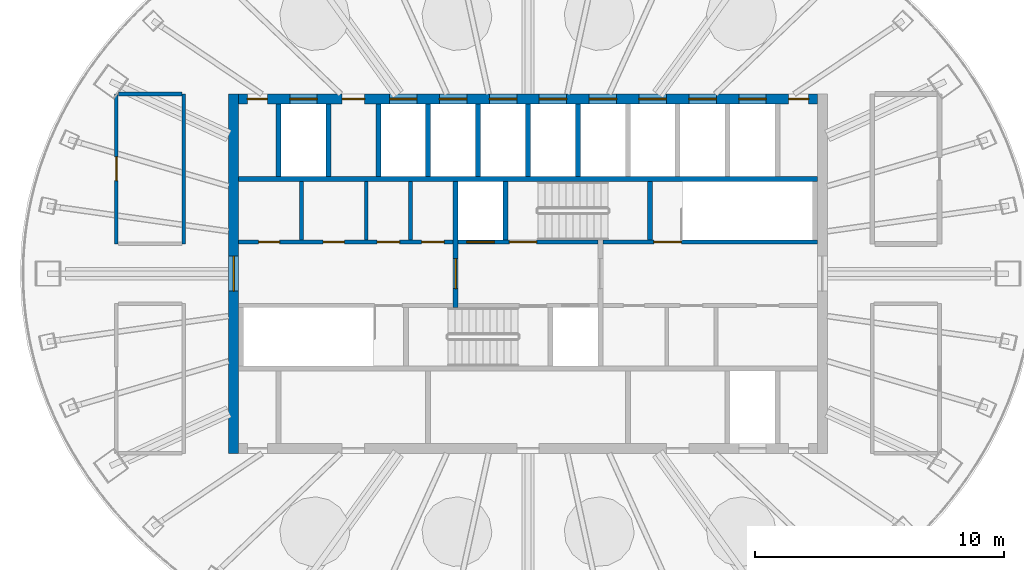
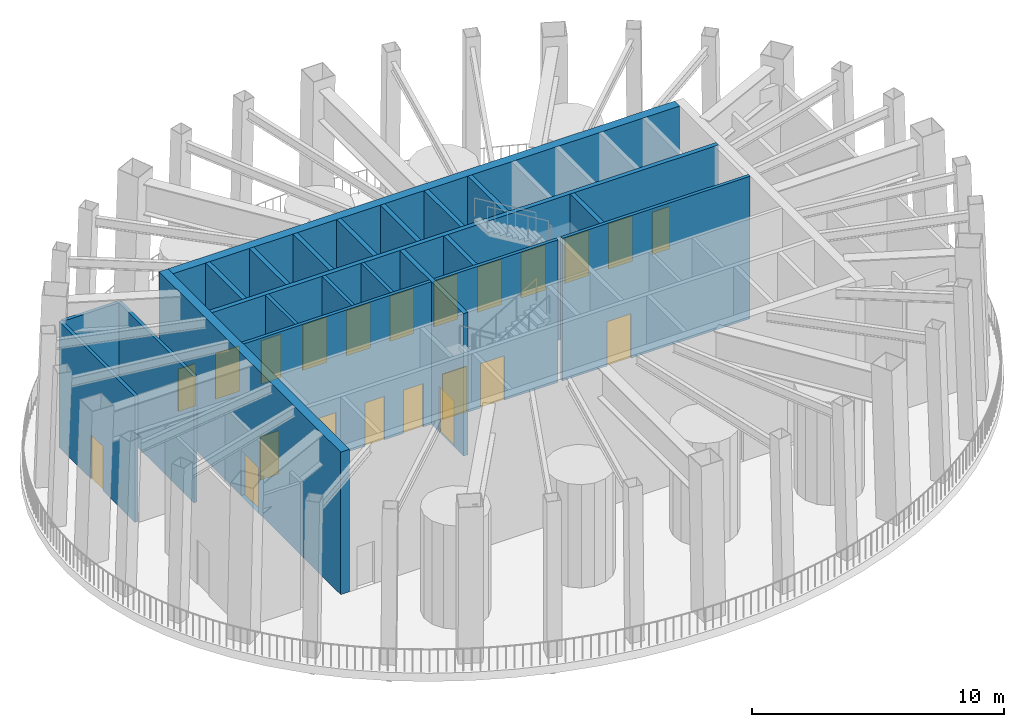
# One storey, part 4 of 12: 22 doors, 22 walls, 22 openings.
"""IFC4 building model written with IfcOpenShell, lengths in metres."""

from ifc_helpers import new_model, si_unit, direction, frame, frame_2d, origin, place, context, subcontext, project, spatial, rectangle, extrude, material, layer, layer_set, type_object, element, fill, save


model = new_model("IFC4")

# Units and contexts
model_context = context("Model", 3, precision=1e-05, world=origin(), true_north=direction((0.0, 1.0)))
body_context = subcontext(model_context, "Body", "Model", "MODEL_VIEW")
ifc_project = project(units=[si_unit("LENGTHUNIT", "METRE"), si_unit("AREAUNIT", "SQUARE_METRE"), si_unit("VOLUMEUNIT", "CUBIC_METRE"), si_unit("PLANEANGLEUNIT", "RADIAN"), si_unit("MASSUNIT", "GRAM", prefix="KILO")], contexts=[model_context])

# Site, building, storey
site_placement = place(None, origin())
site = spatial("IfcSite", under=ifc_project, at=site_placement, CompositionType="ELEMENT")
building_placement = place(site_placement, origin())
building = spatial("IfcBuilding", under=site, at=building_placement, Name="Siaravel Broadcast Tower", CompositionType="ELEMENT")
storey_placement = place(building_placement, frame((0.0, 0.0, 265.199951171875)))
storey = spatial("IfcBuildingStorey", under=building, at=storey_placement, Name="L65", CompositionType="ELEMENT", Elevation=265.199951171875)

# Walls
ifc_material_1 = material(Name="Concrete blockwork", Category="masonry")
ifc_layer_1 = layer(ifc_material_1, 0.14990234375)
ifc_layer_set_1 = layer_set([ifc_layer_1], Name="Concrete blockwork")
wall_type_1 = type_object("IfcWallType", Name="Core partition 150", PredefinedType="PARTITIONING", material=ifc_layer_set_1)
for number, where, z_axis, x_axis, name in (
    (1, (-9.080078125, 1.35009765625, 0.0), (0.0, 0.0, 1.0), (0.0, 1.0, 0.0), "L65 core partition PNW0"),
    (2, (-6.485107421875, 1.35009765625, 0.0), (0.0, 0.0, 1.0), (0.0, 1.0, 0.0), "L65 core partition PNW1"),
    (3, (-4.705078125, 1.35009765625, 0.0), (0.0, 0.0, 1.0), (0.0, 1.0, 0.0), "L65 core partition PNW2"),
):
    element("IfcWall", number, at=place(storey_placement, frame(where, z_axis=z_axis, x_axis=x_axis)), inside=storey, type_object=wall_type_1, Name=name, PredefinedType="PARTITIONING", context=body_context, shape_type="SweptSolid", body=[
        extrude(rectangle(XDim=2.349853515625, YDim=0.14990234375, at=frame_2d((1.1748046875, 0.0))), origin(), (0.0, 0.0, 1.0), 6.900146484375),
    ])

# Wall, opening, door
ifc_material_2 = material(Name="Concrete C60/75", Category="concrete")
ifc_layer_2 = layer(ifc_material_2, 0.39990234375)
ifc_layer_set_2 = layer_set([ifc_layer_2], Name="Concrete C60/75")
wall_type_2 = type_object("IfcWallType", Name="Core wall 400", PredefinedType="SHEAR", material=ifc_layer_set_2)
wall_1_placement = place(storey_placement, frame((-11.800048828125, -7.199951171875, 0.0), z_axis=(0.0, 0.0, 1.0), x_axis=(0.0, 1.0, 0.0)))
wall_1 = element("IfcWall", 4, at=wall_1_placement, inside=storey, type_object=wall_type_2, Name="L65 core wall OW", PredefinedType="SHEAR", context=body_context, shape_type="SweptSolid", body=[
    extrude(rectangle(XDim=14.39990234375, YDim=0.39990234375, at=frame_2d((7.199951171875, 0.0))), origin(), (0.0, 0.0, 1.0), 6.900146484375),
])
opening_1_placement = place(wall_1_placement, frame((6.5, 0.0, 0.0)))
opening_1 = element("IfcOpeningElement", 5, at=opening_1_placement, cuts=wall_1, Name="Opening L65-DX-W", PredefinedType="OPENING", context=body_context, shape_type="SweptSolid", body=[
    extrude(rectangle(XDim=1.39990234375, YDim=2.199951171875, at=frame_2d((0.699951171875, 1.10009765625))), frame((0.0, 0.2099609375, 0.0), z_axis=(0.0, -1.0, 0.0), x_axis=(1.0, 0.0, 0.0)), (0.0, 0.0, 1.0), 0.419921875),
])
ifc_material_3 = material(Name="Steel", Category="steel")
door_type_1 = type_object("IfcDoorType", Name="Core exit door 1400", OperationType="DOUBLE_DOOR_SINGLE_SWING", PredefinedType="DOOR", material=ifc_material_3)
door_1_placement = place(opening_1_placement, origin())
door_1 = element("IfcDoor", 6, at=door_1_placement, inside=storey, type_object=door_type_1, Name="L65 door DX-W", OperationType="DOUBLE_DOOR_SINGLE_SWING", OverallHeight=2.199951171875, OverallWidth=1.39990234375, PredefinedType="DOOR", context=body_context, shape_type="SweptSolid", body=[
    extrude(rectangle(XDim=1.39990234375, YDim=2.199951171875, at=frame_2d((0.699951171875, 1.10009765625))), frame((0.0, 0.02490234375, 0.0), z_axis=(0.0, -1.0, 0.0), x_axis=(1.0, 0.0, 0.0)), (0.0, 0.0, 1.0), 0.050048828125),
])
fill(opening_1, door_1)

# Wall, openings, doors
wall_2_placement = place(storey_placement, frame((-11.60009765625, 7.0, 0.0), z_axis=(0.0, 0.0, 1.0), x_axis=(1.0, 0.0, 0.0)))
wall_2 = element("IfcWall", 7, at=wall_2_placement, inside=storey, type_object=wall_type_2, Name="L65 core wall ON", PredefinedType="SHEAR", context=body_context, shape_type="SweptSolid", body=[
    extrude(rectangle(XDim=23.2001953125, YDim=0.39990234375, at=frame_2d((11.60009765625, 0.0))), origin(), (0.0, 0.0, 1.0), 6.900146484375),
])
opening_2_placement = place(wall_2_placement, frame((2.050048828125, 0.0, 0.0)))
opening_2 = element("IfcOpeningElement", 8, at=opening_2_placement, cuts=wall_2, Name="Opening LD-SV2-L65", PredefinedType="OPENING", context=body_context, shape_type="SweptSolid", body=[
    extrude(rectangle(XDim=1.10009765625, YDim=2.199951171875, at=frame_2d((0.550048828125, 1.10009765625))), frame((0.0, 0.2099609375, 0.0), z_axis=(0.0, -1.0, 0.0), x_axis=(1.0, 0.0, 0.0)), (0.0, 0.0, 1.0), 0.419921875),
])
opening_3_placement = place(wall_2_placement, frame((6.050048828125, 0.0, 0.0)))
opening_3 = element("IfcOpeningElement", 9, at=opening_3_placement, cuts=wall_2, Name="Opening LD-HP1-L65", PredefinedType="OPENING", context=body_context, shape_type="SweptSolid", body=[
    extrude(rectangle(XDim=1.10009765625, YDim=2.199951171875, at=frame_2d((0.550048828125, 1.10009765625))), frame((0.0, 0.2099609375, 0.0), z_axis=(0.0, -1.0, 0.0), x_axis=(1.0, 0.0, 0.0)), (0.0, 0.0, 1.0), 0.419921875),
])
opening_4_placement = place(wall_2_placement, frame((8.050048828125, 0.0, 0.0)))
opening_4 = element("IfcOpeningElement", 10, at=opening_4_placement, cuts=wall_2, Name="Opening LD-HP2-L65", PredefinedType="OPENING", context=body_context, shape_type="SweptSolid", body=[
    extrude(rectangle(XDim=1.10009765625, YDim=2.199951171875, at=frame_2d((0.550048828125, 1.10009765625))), frame((0.0, 0.2099609375, 0.0), z_axis=(0.0, -1.0, 0.0), x_axis=(1.0, 0.0, 0.0)), (0.0, 0.0, 1.0), 0.419921875),
])
opening_5_placement = place(wall_2_placement, frame((10.050048828125, 0.0, 0.0)))
opening_5 = element("IfcOpeningElement", 11, at=opening_5_placement, cuts=wall_2, Name="Opening LD-HP3-L65", PredefinedType="OPENING", context=body_context, shape_type="SweptSolid", body=[
    extrude(rectangle(XDim=1.10009765625, YDim=2.199951171875, at=frame_2d((0.550048828125, 1.10009765625))), frame((0.0, 0.2099609375, 0.0), z_axis=(0.0, -1.0, 0.0), x_axis=(1.0, 0.0, 0.0)), (0.0, 0.0, 1.0), 0.419921875),
])
opening_6_placement = place(wall_2_placement, frame((12.050048828125, 0.0, 0.0)))
opening_6 = element("IfcOpeningElement", 12, at=opening_6_placement, cuts=wall_2, Name="Opening LD-HP4-L65", PredefinedType="OPENING", context=body_context, shape_type="SweptSolid", body=[
    extrude(rectangle(XDim=1.10009765625, YDim=2.199951171875, at=frame_2d((0.550048828125, 1.10009765625))), frame((0.0, 0.2099609375, 0.0), z_axis=(0.0, -1.0, 0.0), x_axis=(1.0, 0.0, 0.0)), (0.0, 0.0, 1.0), 0.419921875),
])
opening_7_placement = place(wall_2_placement, frame((14.050048828125, 0.0, 0.0)))
opening_7 = element("IfcOpeningElement", 13, at=opening_7_placement, cuts=wall_2, Name="Opening LD-HP5-L65", PredefinedType="OPENING", context=body_context, shape_type="SweptSolid", body=[
    extrude(rectangle(XDim=1.10009765625, YDim=2.199951171875, at=frame_2d((0.550048828125, 1.10009765625))), frame((0.0, 0.2099609375, 0.0), z_axis=(0.0, -1.0, 0.0), x_axis=(1.0, 0.0, 0.0)), (0.0, 0.0, 1.0), 0.419921875),
])
opening_8_placement = place(wall_2_placement, frame((16.050048828125, 0.0, 0.0)))
opening_8 = element("IfcOpeningElement", 14, at=opening_8_placement, cuts=wall_2, Name="Opening LD-HP6-L65", PredefinedType="OPENING", context=body_context, shape_type="SweptSolid", body=[
    extrude(rectangle(XDim=1.10009765625, YDim=2.199951171875, at=frame_2d((0.550048828125, 1.10009765625))), frame((0.0, 0.2099609375, 0.0), z_axis=(0.0, -1.0, 0.0), x_axis=(1.0, 0.0, 0.0)), (0.0, 0.0, 1.0), 0.419921875),
])
opening_9_placement = place(wall_2_placement, frame((18.050048828125, 0.0, 0.0)))
opening_9 = element("IfcOpeningElement", 15, at=opening_9_placement, cuts=wall_2, Name="Opening LD-HP7-L65", PredefinedType="OPENING", context=body_context, shape_type="SweptSolid", body=[
    extrude(rectangle(XDim=1.10009765625, YDim=2.199951171875, at=frame_2d((0.550048828125, 1.10009765625))), frame((0.0, 0.2099609375, 0.0), z_axis=(0.0, -1.0, 0.0), x_axis=(1.0, 0.0, 0.0)), (0.0, 0.0, 1.0), 0.419921875),
])
opening_10_placement = place(wall_2_placement, frame((20.050048828125, 0.0, 0.0)))
opening_10 = element("IfcOpeningElement", 16, at=opening_10_placement, cuts=wall_2, Name="Opening LD-HP8-L65", PredefinedType="OPENING", context=body_context, shape_type="SweptSolid", body=[
    extrude(rectangle(XDim=1.10009765625, YDim=2.199951171875, at=frame_2d((0.550048828125, 1.10009765625))), frame((0.0, 0.2099609375, 0.0), z_axis=(0.0, -1.0, 0.0), x_axis=(1.0, 0.0, 0.0)), (0.0, 0.0, 1.0), 0.419921875),
])
opening_11_placement = place(wall_2_placement, frame((4.14990234375, 0.0, 0.0)))
opening_11 = element("IfcOpeningElement", 17, at=opening_11_placement, cuts=wall_2, Name="Opening L65-DFN1", PredefinedType="OPENING", context=body_context, shape_type="SweptSolid", body=[
    extrude(rectangle(XDim=0.89990234375, YDim=2.10009765625, at=frame_2d((0.449951171875, 1.050048828125))), frame((0.0, 0.2099609375, 0.0), z_axis=(0.0, -1.0, 0.0), x_axis=(1.0, 0.0, 0.0)), (0.0, 0.0, 1.0), 0.419921875),
])
opening_12_placement = place(wall_2_placement, frame((0.35009765625, 0.0, 0.0)))
opening_12 = element("IfcOpeningElement", 18, at=opening_12_placement, cuts=wall_2, Name="Opening L65-DRNW", PredefinedType="OPENING", context=body_context, shape_type="SweptSolid", body=[
    extrude(rectangle(XDim=0.800048828125, YDim=2.050048828125, at=frame_2d((0.39990234375, 1.02490234375))), frame((0.0, 0.2099609375, 0.0), z_axis=(0.0, -1.0, 0.0), x_axis=(1.0, 0.0, 0.0)), (0.0, 0.0, 1.0), 0.419921875),
])
opening_13_placement = place(wall_2_placement, frame((22.050048828125, 0.0, 0.0)))
opening_13 = element("IfcOpeningElement", 19, at=opening_13_placement, cuts=wall_2, Name="Opening L65-DRNE", PredefinedType="OPENING", context=body_context, shape_type="SweptSolid", body=[
    extrude(rectangle(XDim=0.800048828125, YDim=2.050048828125, at=frame_2d((0.39990234375, 1.02490234375))), frame((0.0, 0.2099609375, 0.0), z_axis=(0.0, -1.0, 0.0), x_axis=(1.0, 0.0, 0.0)), (0.0, 0.0, 1.0), 0.419921875),
])
ifc_material_4 = material(Name="Timber veneer", Category="wood")
door_type_2 = type_object("IfcDoorType", Name="Core room door 900", OperationType="SINGLE_SWING_LEFT", PredefinedType="DOOR", material=ifc_material_4)
door_2_placement = place(opening_11_placement, origin())
door_2 = element("IfcDoor", 20, at=door_2_placement, inside=storey, type_object=door_type_2, Name="L65 door DFN1", OperationType="SINGLE_SWING_LEFT", OverallHeight=2.10009765625, OverallWidth=0.89990234375, PredefinedType="DOOR", context=body_context, shape_type="SweptSolid", body=[
    extrude(rectangle(XDim=0.89990234375, YDim=2.10009765625, at=frame_2d((0.449951171875, 1.050048828125))), frame((0.0, 0.02490234375, 0.0), z_axis=(0.0, -1.0, 0.0), x_axis=(1.0, 0.0, 0.0)), (0.0, 0.0, 1.0), 0.050048828125),
])
fill(opening_11, door_2)
ifc_material_5 = material(Name="Stainless steel 316L", Category="steel")
door_type_3 = type_object("IfcDoorType", Name="Lift landing door 1100", OperationType="DOUBLE_DOOR_SLIDING", PredefinedType="DOOR", material=ifc_material_5)
door_3_placement = place(opening_3_placement, origin())
door_3 = element("IfcDoor", 21, at=door_3_placement, inside=storey, type_object=door_type_3, Name="Landing door HP1 L65", OperationType="DOUBLE_DOOR_SLIDING", OverallHeight=2.199951171875, OverallWidth=1.10009765625, PredefinedType="DOOR", context=body_context, shape_type="SweptSolid", body=[
    extrude(rectangle(XDim=1.10009765625, YDim=2.199951171875, at=frame_2d((0.550048828125, 1.10009765625))), frame((0.0, 0.02490234375, 0.0), z_axis=(0.0, -1.0, 0.0), x_axis=(1.0, 0.0, 0.0)), (0.0, 0.0, 1.0), 0.050048828125),
])
fill(opening_3, door_3)
door_4_placement = place(opening_4_placement, origin())
door_4 = element("IfcDoor", 22, at=door_4_placement, inside=storey, type_object=door_type_3, Name="Landing door HP2 L65", OperationType="DOUBLE_DOOR_SLIDING", OverallHeight=2.199951171875, OverallWidth=1.10009765625, PredefinedType="DOOR", context=body_context, shape_type="SweptSolid", body=[
    extrude(rectangle(XDim=1.10009765625, YDim=2.199951171875, at=frame_2d((0.550048828125, 1.10009765625))), frame((0.0, 0.02490234375, 0.0), z_axis=(0.0, -1.0, 0.0), x_axis=(1.0, 0.0, 0.0)), (0.0, 0.0, 1.0), 0.050048828125),
])
fill(opening_4, door_4)
door_5_placement = place(opening_5_placement, origin())
door_5 = element("IfcDoor", 23, at=door_5_placement, inside=storey, type_object=door_type_3, Name="Landing door HP3 L65", OperationType="DOUBLE_DOOR_SLIDING", OverallHeight=2.199951171875, OverallWidth=1.10009765625, PredefinedType="DOOR", context=body_context, shape_type="SweptSolid", body=[
    extrude(rectangle(XDim=1.10009765625, YDim=2.199951171875, at=frame_2d((0.550048828125, 1.10009765625))), frame((0.0, 0.02490234375, 0.0), z_axis=(0.0, -1.0, 0.0), x_axis=(1.0, 0.0, 0.0)), (0.0, 0.0, 1.0), 0.050048828125),
])
fill(opening_5, door_5)
door_6_placement = place(opening_6_placement, origin())
door_6 = element("IfcDoor", 24, at=door_6_placement, inside=storey, type_object=door_type_3, Name="Landing door HP4 L65", OperationType="DOUBLE_DOOR_SLIDING", OverallHeight=2.199951171875, OverallWidth=1.10009765625, PredefinedType="DOOR", context=body_context, shape_type="SweptSolid", body=[
    extrude(rectangle(XDim=1.10009765625, YDim=2.199951171875, at=frame_2d((0.550048828125, 1.10009765625))), frame((0.0, 0.02490234375, 0.0), z_axis=(0.0, -1.0, 0.0), x_axis=(1.0, 0.0, 0.0)), (0.0, 0.0, 1.0), 0.050048828125),
])
fill(opening_6, door_6)
door_7_placement = place(opening_7_placement, origin())
door_7 = element("IfcDoor", 25, at=door_7_placement, inside=storey, type_object=door_type_3, Name="Landing door HP5 L65", OperationType="DOUBLE_DOOR_SLIDING", OverallHeight=2.199951171875, OverallWidth=1.10009765625, PredefinedType="DOOR", context=body_context, shape_type="SweptSolid", body=[
    extrude(rectangle(XDim=1.10009765625, YDim=2.199951171875, at=frame_2d((0.550048828125, 1.10009765625))), frame((0.0, 0.02490234375, 0.0), z_axis=(0.0, -1.0, 0.0), x_axis=(1.0, 0.0, 0.0)), (0.0, 0.0, 1.0), 0.050048828125),
])
fill(opening_7, door_7)
door_8_placement = place(opening_8_placement, origin())
door_8 = element("IfcDoor", 26, at=door_8_placement, inside=storey, type_object=door_type_3, Name="Landing door HP6 L65", OperationType="DOUBLE_DOOR_SLIDING", OverallHeight=2.199951171875, OverallWidth=1.10009765625, PredefinedType="DOOR", context=body_context, shape_type="SweptSolid", body=[
    extrude(rectangle(XDim=1.10009765625, YDim=2.199951171875, at=frame_2d((0.550048828125, 1.10009765625))), frame((0.0, 0.02490234375, 0.0), z_axis=(0.0, -1.0, 0.0), x_axis=(1.0, 0.0, 0.0)), (0.0, 0.0, 1.0), 0.050048828125),
])
fill(opening_8, door_8)
door_9_placement = place(opening_9_placement, origin())
door_9 = element("IfcDoor", 27, at=door_9_placement, inside=storey, type_object=door_type_3, Name="Landing door HP7 L65", OperationType="DOUBLE_DOOR_SLIDING", OverallHeight=2.199951171875, OverallWidth=1.10009765625, PredefinedType="DOOR", context=body_context, shape_type="SweptSolid", body=[
    extrude(rectangle(XDim=1.10009765625, YDim=2.199951171875, at=frame_2d((0.550048828125, 1.10009765625))), frame((0.0, 0.02490234375, 0.0), z_axis=(0.0, -1.0, 0.0), x_axis=(1.0, 0.0, 0.0)), (0.0, 0.0, 1.0), 0.050048828125),
])
fill(opening_9, door_9)
door_10_placement = place(opening_10_placement, origin())
door_10 = element("IfcDoor", 28, at=door_10_placement, inside=storey, type_object=door_type_3, Name="Landing door HP8 L65", OperationType="DOUBLE_DOOR_SLIDING", OverallHeight=2.199951171875, OverallWidth=1.10009765625, PredefinedType="DOOR", context=body_context, shape_type="SweptSolid", body=[
    extrude(rectangle(XDim=1.10009765625, YDim=2.199951171875, at=frame_2d((0.550048828125, 1.10009765625))), frame((0.0, 0.02490234375, 0.0), z_axis=(0.0, -1.0, 0.0), x_axis=(1.0, 0.0, 0.0)), (0.0, 0.0, 1.0), 0.050048828125),
])
fill(opening_10, door_10)
door_type_4 = type_object("IfcDoorType", Name="Riser door 800", OperationType="SINGLE_SWING_LEFT", PredefinedType="DOOR", material=ifc_material_3)
door_11_placement = place(opening_12_placement, origin())
door_11 = element("IfcDoor", 29, at=door_11_placement, inside=storey, type_object=door_type_4, Name="L65 door DRNW", OperationType="SINGLE_SWING_LEFT", OverallHeight=2.050048828125, OverallWidth=0.800048828125, PredefinedType="DOOR", context=body_context, shape_type="SweptSolid", body=[
    extrude(rectangle(XDim=0.800048828125, YDim=2.050048828125, at=frame_2d((0.39990234375, 1.02490234375))), frame((0.0, 0.02490234375, 0.0), z_axis=(0.0, -1.0, 0.0), x_axis=(1.0, 0.0, 0.0)), (0.0, 0.0, 1.0), 0.050048828125),
])
fill(opening_12, door_11)
door_12_placement = place(opening_13_placement, origin())
door_12 = element("IfcDoor", 30, at=door_12_placement, inside=storey, type_object=door_type_4, Name="L65 door DRNE", OperationType="SINGLE_SWING_LEFT", OverallHeight=2.050048828125, OverallWidth=0.800048828125, PredefinedType="DOOR", context=body_context, shape_type="SweptSolid", body=[
    extrude(rectangle(XDim=0.800048828125, YDim=2.050048828125, at=frame_2d((0.39990234375, 1.02490234375))), frame((0.0, 0.02490234375, 0.0), z_axis=(0.0, -1.0, 0.0), x_axis=(1.0, 0.0, 0.0)), (0.0, 0.0, 1.0), 0.050048828125),
])
fill(opening_13, door_12)
door_type_5 = type_object("IfcDoorType", Name="Service lift landing door 1100", OperationType="DOUBLE_DOOR_SLIDING", PredefinedType="DOOR", material=ifc_material_5)
door_13_placement = place(opening_2_placement, origin())
door_13 = element("IfcDoor", 31, at=door_13_placement, inside=storey, type_object=door_type_5, Name="Landing door SV2 L65", OperationType="DOUBLE_DOOR_SLIDING", OverallHeight=2.199951171875, OverallWidth=1.10009765625, PredefinedType="DOOR", context=body_context, shape_type="SweptSolid", body=[
    extrude(rectangle(XDim=1.10009765625, YDim=2.199951171875, at=frame_2d((0.550048828125, 1.10009765625))), frame((0.0, 0.02490234375, 0.0), z_axis=(0.0, -1.0, 0.0), x_axis=(1.0, 0.0, 0.0)), (0.0, 0.0, 1.0), 0.050048828125),
])
fill(opening_2, door_13)

ifc_material_6 = material(Name="Gypsum board partition", Category="gypsum")
ifc_layer_3 = layer(ifc_material_6, 0.14990234375)
ifc_layer_set_3 = layer_set([ifc_layer_3], Name="Gypsum board partition")
wall_type_3 = type_object("IfcWallType", Name="Corridor wall 150", PredefinedType="PARTITIONING", material=ifc_layer_set_3)
wall_3_placement = place(storey_placement, frame((-11.60009765625, 1.27490234375, 0.0), z_axis=(0.0, 0.0, 1.0), x_axis=(1.0, 0.0, 0.0)))
wall_3 = element("IfcWall", 32, at=wall_3_placement, inside=storey, type_object=wall_type_3, Name="L65 core partition CNW", PredefinedType="PARTITIONING", context=body_context, shape_type="SweptSolid", body=[
    extrude(rectangle(XDim=8.60009765625, YDim=0.14990234375, at=frame_2d((4.300048828125, 0.0))), origin(), (0.0, 0.0, 1.0), 6.900146484375),
])
opening_14_placement = place(wall_3_placement, frame((0.797607421875, 0.0, 0.0)))
opening_14 = element("IfcOpeningElement", 33, at=opening_14_placement, cuts=wall_3, Name="Opening L65-DNW0", PredefinedType="OPENING", context=body_context, shape_type="SweptSolid", body=[
    extrude(rectangle(XDim=0.85009765625, YDim=2.10009765625, at=frame_2d((0.425048828125, 1.050048828125))), frame((0.0, 0.0849609375, 0.0), z_axis=(0.0, -1.0, 0.0), x_axis=(1.0, 0.0, 0.0)), (0.0, 0.0, 1.0), 0.169921875),
])
opening_15_placement = place(wall_3_placement, frame((3.392578125, 0.0, 0.0)))
opening_15 = element("IfcOpeningElement", 34, at=opening_15_placement, cuts=wall_3, Name="Opening L65-DNW1", PredefinedType="OPENING", context=body_context, shape_type="SweptSolid", body=[
    extrude(rectangle(XDim=0.85009765625, YDim=2.10009765625, at=frame_2d((0.425048828125, 1.050048828125))), frame((0.0, 0.0849609375, 0.0), z_axis=(0.0, -1.0, 0.0), x_axis=(1.0, 0.0, 0.0)), (0.0, 0.0, 1.0), 0.169921875),
])
opening_16_placement = place(wall_3_placement, frame((5.554931640625, 0.0, 0.0)))
opening_16 = element("IfcOpeningElement", 35, at=opening_16_placement, cuts=wall_3, Name="Opening L65-DNW2", PredefinedType="OPENING", context=body_context, shape_type="SweptSolid", body=[
    extrude(rectangle(XDim=0.89990234375, YDim=2.10009765625, at=frame_2d((0.449951171875, 1.050048828125))), frame((0.0, 0.0849609375, 0.0), z_axis=(0.0, -1.0, 0.0), x_axis=(1.0, 0.0, 0.0)), (0.0, 0.0, 1.0), 0.169921875),
])
opening_17_placement = place(wall_3_placement, frame((7.3349609375, 0.0, 0.0)))
opening_17 = element("IfcOpeningElement", 36, at=opening_17_placement, cuts=wall_3, Name="Opening L65-DNW3", PredefinedType="OPENING", context=body_context, shape_type="SweptSolid", body=[
    extrude(rectangle(XDim=0.89990234375, YDim=2.10009765625, at=frame_2d((0.449951171875, 1.050048828125))), frame((0.0, 0.0849609375, 0.0), z_axis=(0.0, -1.0, 0.0), x_axis=(1.0, 0.0, 0.0)), (0.0, 0.0, 1.0), 0.169921875),
])
door_14_placement = place(opening_16_placement, origin())
door_14 = element("IfcDoor", 37, at=door_14_placement, inside=storey, type_object=door_type_2, Name="L65 door DNW2", OperationType="SINGLE_SWING_LEFT", OverallHeight=2.10009765625, OverallWidth=0.89990234375, PredefinedType="DOOR", context=body_context, shape_type="SweptSolid", body=[
    extrude(rectangle(XDim=0.89990234375, YDim=2.10009765625, at=frame_2d((0.449951171875, 1.050048828125))), frame((0.0, 0.02490234375, 0.0), z_axis=(0.0, -1.0, 0.0), x_axis=(1.0, 0.0, 0.0)), (0.0, 0.0, 1.0), 0.050048828125),
])
fill(opening_16, door_14)
door_15_placement = place(opening_17_placement, origin())
door_15 = element("IfcDoor", 38, at=door_15_placement, inside=storey, type_object=door_type_2, Name="L65 door DNW3", OperationType="SINGLE_SWING_LEFT", OverallHeight=2.10009765625, OverallWidth=0.89990234375, PredefinedType="DOOR", context=body_context, shape_type="SweptSolid", body=[
    extrude(rectangle(XDim=0.89990234375, YDim=2.10009765625, at=frame_2d((0.449951171875, 1.050048828125))), frame((0.0, 0.02490234375, 0.0), z_axis=(0.0, -1.0, 0.0), x_axis=(1.0, 0.0, 0.0)), (0.0, 0.0, 1.0), 0.050048828125),
])
fill(opening_17, door_15)
door_type_6 = type_object("IfcDoorType", Name="Core toilet door 850", OperationType="SINGLE_SWING_LEFT", PredefinedType="DOOR", material=ifc_material_4)
door_16_placement = place(opening_14_placement, origin())
door_16 = element("IfcDoor", 39, at=door_16_placement, inside=storey, type_object=door_type_6, Name="L65 door DNW0", OperationType="SINGLE_SWING_LEFT", OverallHeight=2.10009765625, OverallWidth=0.85009765625, PredefinedType="DOOR", context=body_context, shape_type="SweptSolid", body=[
    extrude(rectangle(XDim=0.85009765625, YDim=2.10009765625, at=frame_2d((0.425048828125, 1.050048828125))), frame((0.0, 0.02490234375, 0.0), z_axis=(0.0, -1.0, 0.0), x_axis=(1.0, 0.0, 0.0)), (0.0, 0.0, 1.0), 0.050048828125),
])
fill(opening_14, door_16)
door_17_placement = place(opening_15_placement, origin())
door_17 = element("IfcDoor", 40, at=door_17_placement, inside=storey, type_object=door_type_6, Name="L65 door DNW1", OperationType="SINGLE_SWING_LEFT", OverallHeight=2.10009765625, OverallWidth=0.85009765625, PredefinedType="DOOR", context=body_context, shape_type="SweptSolid", body=[
    extrude(rectangle(XDim=0.85009765625, YDim=2.10009765625, at=frame_2d((0.425048828125, 1.050048828125))), frame((0.0, 0.02490234375, 0.0), z_axis=(0.0, -1.0, 0.0), x_axis=(1.0, 0.0, 0.0)), (0.0, 0.0, 1.0), 0.050048828125),
])
fill(opening_15, door_17)

# Wall, opening, door
wall_4_placement = place(storey_placement, frame((-16.5, 7.2119140625, 0.0), z_axis=(0.0, 0.0, 1.0), x_axis=(0.0, -1.0, 0.0)))
wall_4 = element("IfcWall", 41, at=wall_4_placement, inside=storey, type_object=wall_type_3, Name="L65 partition 2", PredefinedType="PARTITIONING", context=body_context, shape_type="SweptSolid", body=[
    extrude(rectangle(XDim=6.011962890625, YDim=0.14990234375, at=frame_2d((3.005859375, 0.0))), origin(), (0.0, 0.0, 1.0), 6.10009765625),
])
opening_18_placement = place(wall_4_placement, frame((2.531005859375, 0.0, 0.0)))
opening_18 = element("IfcOpeningElement", 42, at=opening_18_placement, cuts=wall_4, Name="Opening L65-003", PredefinedType="OPENING", context=body_context, shape_type="SweptSolid", body=[
    extrude(rectangle(XDim=0.949951171875, YDim=2.14990234375, at=frame_2d((0.47509765625, 1.074951171875))), frame((0.0, 0.0849609375, 0.0), z_axis=(0.0, -1.0, 0.0), x_axis=(1.0, 0.0, 0.0)), (0.0, 0.0, 1.0), 0.169921875),
])
door_type_7 = type_object("IfcDoorType", Name="Office door 950", OperationType="SINGLE_SWING_LEFT", PredefinedType="DOOR", material=ifc_material_4)
door_18_placement = place(opening_18_placement, origin())
door_18 = element("IfcDoor", 43, at=door_18_placement, inside=storey, type_object=door_type_7, Name="L65 door to Turbine workshop", OperationType="SINGLE_SWING_LEFT", OverallHeight=2.14990234375, OverallWidth=0.949951171875, PredefinedType="DOOR", context=body_context, shape_type="SweptSolid", body=[
    extrude(rectangle(XDim=0.949951171875, YDim=2.14990234375, at=frame_2d((0.47509765625, 1.074951171875))), frame((0.0, 0.02490234375, 0.0), z_axis=(0.0, -1.0, 0.0), x_axis=(1.0, 0.0, 0.0)), (0.0, 0.0, 1.0), 0.050048828125),
])
fill(opening_18, door_18)

# Walls
wall_5_placement = place(storey_placement, frame((-13.800048828125, 7.199951171875, 0.0), z_axis=(0.0, 0.0, 1.0), x_axis=(0.0, -1.0, 0.0)))
element("IfcWall", 44, at=wall_5_placement, inside=storey, type_object=wall_type_3, Name="L65 partition 6", PredefinedType="PARTITIONING", context=body_context, shape_type="SweptSolid", body=[
    extrude(rectangle(XDim=6.0, YDim=0.14990234375, at=frame_2d((3.0, 0.0))), origin(), (0.0, 0.0, 1.0), 6.10009765625),
])
wall_6_placement = place(storey_placement, frame((-13.876953125, 7.199951171875, 0.0), z_axis=(0.0, 0.0, 1.0), x_axis=(-1.0, 0.0, 0.0)))
element("IfcWall", 45, at=wall_6_placement, inside=storey, type_object=wall_type_3, Name="L65 partition 12", PredefinedType="PARTITIONING", context=body_context, shape_type="SweptSolid", body=[
    extrude(rectangle(XDim=2.546142578125, YDim=0.14990234375, at=frame_2d((1.27294921875, 0.0))), origin(), (0.0, 0.0, 1.0), 6.10009765625),
])

# Wall, openings, doors
ifc_layer_4 = layer(ifc_material_2, 0.14990234375)
ifc_layer_set_4 = layer_set([ifc_layer_4], Name="Concrete C60/75")
wall_type_4 = type_object("IfcWallType", Name="Shaft wall 150", PredefinedType="SHEAR", material=ifc_layer_set_4)
wall_7_placement = place(storey_placement, frame((-2.800048828125, 1.27490234375, 0.0), z_axis=(0.0, 0.0, 1.0), x_axis=(1.0, 0.0, 0.0)))
wall_7 = element("IfcWall", 46, at=wall_7_placement, inside=storey, type_object=wall_type_4, Name="L65 core wall CNM", PredefinedType="SHEAR", context=body_context, shape_type="SweptSolid", body=[
    extrude(rectangle(XDim=5.60009765625, YDim=0.14990234375, at=frame_2d((2.800048828125, 0.0))), origin(), (0.0, 0.0, 1.0), 6.900146484375),
])
opening_19_placement = place(wall_7_placement, frame((0.35009765625, 0.0, 0.0)))
opening_19 = element("IfcOpeningElement", 47, at=opening_19_placement, cuts=wall_7, Name="Opening LD-FL1-L65", PredefinedType="OPENING", context=body_context, shape_type="SweptSolid", body=[
    extrude(rectangle(XDim=1.10009765625, YDim=2.199951171875, at=frame_2d((0.550048828125, 1.10009765625))), frame((0.0, 0.0849609375, 0.0), z_axis=(0.0, -1.0, 0.0), x_axis=(1.0, 0.0, 0.0)), (0.0, 0.0, 1.0), 0.169921875),
])
opening_20_placement = place(wall_7_placement, frame((2.050048828125, 0.0, 0.0)))
opening_20 = element("IfcOpeningElement", 48, at=opening_20_placement, cuts=wall_7, Name="Opening L65-DS-C1", PredefinedType="OPENING", context=body_context, shape_type="SweptSolid", body=[
    extrude(rectangle(XDim=1.10009765625, YDim=2.14990234375, at=frame_2d((0.550048828125, 1.074951171875))), frame((0.0, 0.0849609375, 0.0), z_axis=(0.0, -1.0, 0.0), x_axis=(1.0, 0.0, 0.0)), (0.0, 0.0, 1.0), 0.169921875),
])
door_type_8 = type_object("IfcDoorType", Name="Firefighting lift landing door 1100", OperationType="DOUBLE_DOOR_SLIDING", PredefinedType="DOOR", material=ifc_material_5)
door_19_placement = place(opening_19_placement, origin())
door_19 = element("IfcDoor", 49, at=door_19_placement, inside=storey, type_object=door_type_8, Name="Landing door FL1 L65", OperationType="DOUBLE_DOOR_SLIDING", OverallHeight=2.199951171875, OverallWidth=1.10009765625, PredefinedType="DOOR", context=body_context, shape_type="SweptSolid", body=[
    extrude(rectangle(XDim=1.10009765625, YDim=2.199951171875, at=frame_2d((0.550048828125, 1.10009765625))), frame((0.0, 0.02490234375, 0.0), z_axis=(0.0, -1.0, 0.0), x_axis=(1.0, 0.0, 0.0)), (0.0, 0.0, 1.0), 0.050048828125),
])
fill(opening_19, door_19)
door_type_9 = type_object("IfcDoorType", Name="Stair door 1100", OperationType="SINGLE_SWING_LEFT", PredefinedType="DOOR", material=ifc_material_3)
door_20_placement = place(opening_20_placement, origin())
door_20 = element("IfcDoor", 50, at=door_20_placement, inside=storey, type_object=door_type_9, Name="L65 door DS-C1", OperationType="SINGLE_SWING_LEFT", OverallHeight=2.14990234375, OverallWidth=1.10009765625, PredefinedType="DOOR", context=body_context, shape_type="SweptSolid", body=[
    extrude(rectangle(XDim=1.10009765625, YDim=2.14990234375, at=frame_2d((0.550048828125, 1.074951171875))), frame((0.0, 0.02490234375, 0.0), z_axis=(0.0, -1.0, 0.0), x_axis=(1.0, 0.0, 0.0)), (0.0, 0.0, 1.0), 0.050048828125),
])
fill(opening_20, door_20)

# Wall, opening, door
wall_8_placement = place(storey_placement, frame((3.0, 1.27490234375, 0.0), z_axis=(0.0, 0.0, 1.0), x_axis=(1.0, 0.0, 0.0)))
wall_8 = element("IfcWall", 51, at=wall_8_placement, inside=storey, type_object=wall_type_4, Name="L65 core wall CNE", PredefinedType="SHEAR", context=body_context, shape_type="SweptSolid", body=[
    extrude(rectangle(XDim=8.60009765625, YDim=0.14990234375, at=frame_2d((4.300048828125, 0.0))), origin(), (0.0, 0.0, 1.0), 6.900146484375),
])
opening_21_placement = place(wall_8_placement, frame((2.050048828125, 0.0, 0.0)))
opening_21 = element("IfcOpeningElement", 52, at=opening_21_placement, cuts=wall_8, Name="Opening L65-DS-2", PredefinedType="OPENING", context=body_context, shape_type="SweptSolid", body=[
    extrude(rectangle(XDim=1.10009765625, YDim=2.14990234375, at=frame_2d((0.550048828125, 1.074951171875))), frame((0.0, 0.0849609375, 0.0), z_axis=(0.0, -1.0, 0.0), x_axis=(1.0, 0.0, 0.0)), (0.0, 0.0, 1.0), 0.169921875),
])
door_21_placement = place(opening_21_placement, origin())
door_21 = element("IfcDoor", 53, at=door_21_placement, inside=storey, type_object=door_type_9, Name="L65 door DS-2", OperationType="SINGLE_SWING_LEFT", OverallHeight=2.14990234375, OverallWidth=1.10009765625, PredefinedType="DOOR", context=body_context, shape_type="SweptSolid", body=[
    extrude(rectangle(XDim=1.10009765625, YDim=2.14990234375, at=frame_2d((0.550048828125, 1.074951171875))), frame((0.0, 0.02490234375, 0.0), z_axis=(0.0, -1.0, 0.0), x_axis=(1.0, 0.0, 0.0)), (0.0, 0.0, 1.0), 0.050048828125),
])
fill(opening_21, door_21)

# Walls
ifc_layer_5 = layer(ifc_material_2, 0.199951171875)
ifc_layer_set_5 = layer_set([ifc_layer_5], Name="Concrete C60/75")
wall_type_5 = type_object("IfcWallType", Name="Shaft wall 200", PredefinedType="SHEAR", material=ifc_layer_set_5)
wall_9_placement = place(storey_placement, frame((-11.60009765625, 3.800048828125, 0.0), z_axis=(0.0, 0.0, 1.0), x_axis=(1.0, 0.0, 0.0)))
element("IfcWall", 54, at=wall_9_placement, inside=storey, type_object=wall_type_5, Name="L65 core wall BN", PredefinedType="SHEAR", context=body_context, shape_type="SweptSolid", body=[
    extrude(rectangle(XDim=23.2001953125, YDim=0.199951171875, at=frame_2d((11.60009765625, 0.0))), origin(), (0.0, 0.0, 1.0), 6.900146484375),
])
for number, where, z_axis, x_axis, name in (
    (55, (-10.0, 3.89990234375, 0.0), (0.0, 0.0, 1.0), (0.0, 1.0, 0.0), "L65 core wall SWN0"),
    (56, (-8.0, 3.89990234375, 0.0), (0.0, 0.0, 1.0), (0.0, 1.0, 0.0), "L65 core wall SWN1"),
    (57, (-6.0, 3.89990234375, 0.0), (0.0, 0.0, 1.0), (0.0, 1.0, 0.0), "L65 core wall SWN2"),
    (58, (-4.0, 3.89990234375, 0.0), (0.0, 0.0, 1.0), (0.0, 1.0, 0.0), "L65 core wall SWN3"),
    (59, (-2.0, 3.89990234375, 0.0), (0.0, 0.0, 1.0), (0.0, 1.0, 0.0), "L65 core wall SWN4"),
    (60, (0.0, 3.89990234375, 0.0), (0.0, 0.0, 1.0), (0.0, 1.0, 0.0), "L65 core wall SWN5"),
    (61, (2.0, 3.89990234375, 0.0), (0.0, 0.0, 1.0), (0.0, 1.0, 0.0), "L65 core wall SWN6"),
):
    element("IfcWall", number, at=place(storey_placement, frame(where, z_axis=z_axis, x_axis=x_axis)), inside=storey, type_object=wall_type_5, Name=name, PredefinedType="SHEAR", context=body_context, shape_type="SweptSolid", body=[
        extrude(rectangle(XDim=2.900146484375, YDim=0.199951171875, at=frame_2d((1.4501953125, 0.0))), origin(), (0.0, 0.0, 1.0), 6.900146484375),
    ])

# Wall, opening, door
wall_10_placement = place(storey_placement, frame((-2.89990234375, -1.35009765625, 0.0), z_axis=(0.0, 0.0, 1.0), x_axis=(0.0, 1.0, 0.0)))
wall_10 = element("IfcWall", 62, at=wall_10_placement, inside=storey, type_object=wall_type_5, Name="L65 core wall LW", PredefinedType="SHEAR", context=body_context, shape_type="SweptSolid", body=[
    extrude(rectangle(XDim=5.050048828125, YDim=0.199951171875, at=frame_2d((2.52490234375, 0.0))), origin(), (0.0, 0.0, 1.0), 6.900146484375),
])
opening_22_placement = place(wall_10_placement, frame((0.75, 0.0, 0.0)))
opening_22 = element("IfcOpeningElement", 63, at=opening_22_placement, cuts=wall_10, Name="Opening L65-DL-W", PredefinedType="OPENING", context=body_context, shape_type="SweptSolid", body=[
    extrude(rectangle(XDim=1.199951171875, YDim=2.199951171875, at=frame_2d((0.60009765625, 1.10009765625))), frame((0.0, 0.10986328125, 0.0), z_axis=(0.0, -1.0, 0.0), x_axis=(1.0, 0.0, 0.0)), (0.0, 0.0, 1.0), 0.219970703125),
])
door_type_10 = type_object("IfcDoorType", Name="Firefighting lobby door 1200", OperationType="SINGLE_SWING_LEFT", PredefinedType="DOOR", material=ifc_material_3)
door_22_placement = place(opening_22_placement, origin())
door_22 = element("IfcDoor", 64, at=door_22_placement, inside=storey, type_object=door_type_10, Name="L65 door DL-W", OperationType="SINGLE_SWING_LEFT", OverallHeight=2.199951171875, OverallWidth=1.199951171875, PredefinedType="DOOR", context=body_context, shape_type="SweptSolid", body=[
    extrude(rectangle(XDim=1.199951171875, YDim=2.199951171875, at=frame_2d((0.60009765625, 1.10009765625))), frame((0.0, 0.02490234375, 0.0), z_axis=(0.0, -1.0, 0.0), x_axis=(1.0, 0.0, 0.0)), (0.0, 0.0, 1.0), 0.050048828125),
])
fill(opening_22, door_22)

# Walls
for number, where, z_axis, x_axis, name in (
    (65, (-0.89990234375, 1.35009765625, 0.0), (0.0, 0.0, 1.0), (0.0, 1.0, 0.0), "L65 core wall FF1E"),
    (66, (4.89990234375, 1.35009765625, 0.0), (0.0, 0.0, 1.0), (0.0, 1.0, 0.0), "L65 core wall ST2W"),
):
    element("IfcWall", number, at=place(storey_placement, frame(where, z_axis=z_axis, x_axis=x_axis)), inside=storey, type_object=wall_type_5, Name=name, PredefinedType="SHEAR", context=body_context, shape_type="SweptSolid", body=[
        extrude(rectangle(XDim=2.349853515625, YDim=0.199951171875, at=frame_2d((1.1748046875, 0.0))), origin(), (0.0, 0.0, 1.0), 6.900146484375),
    ])

save(model, "model.ifc")
